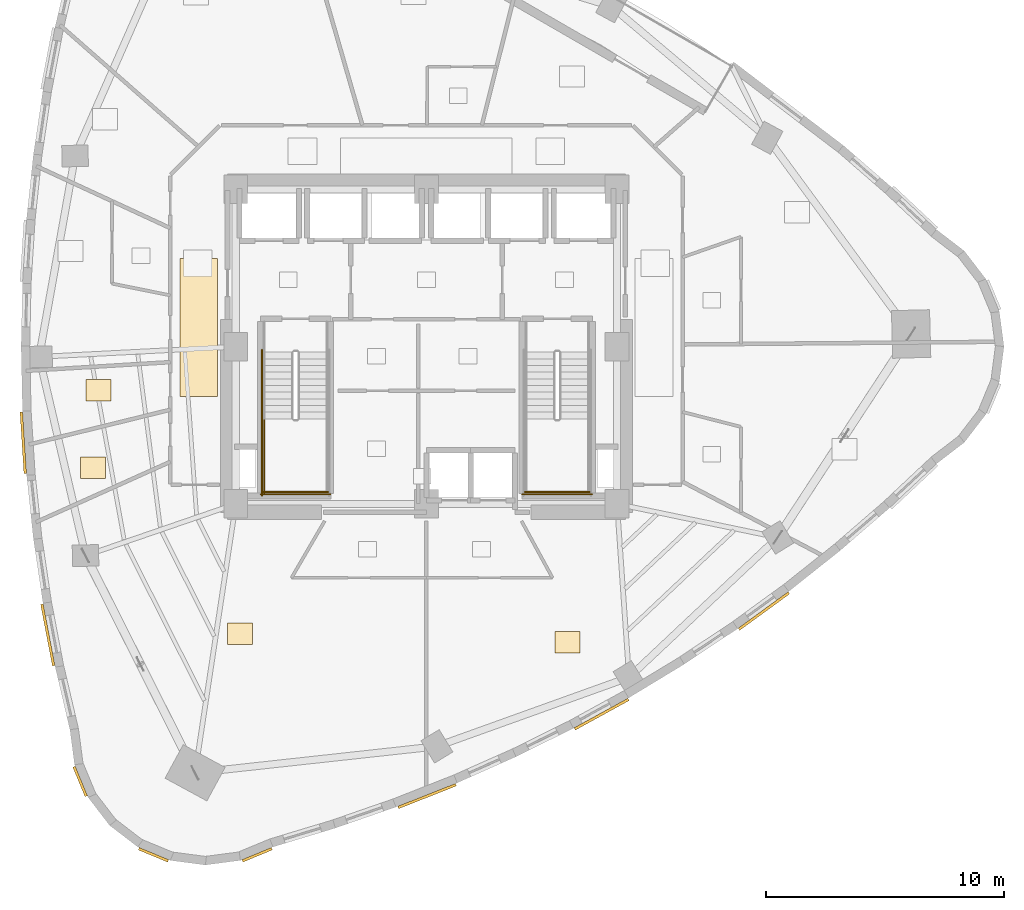
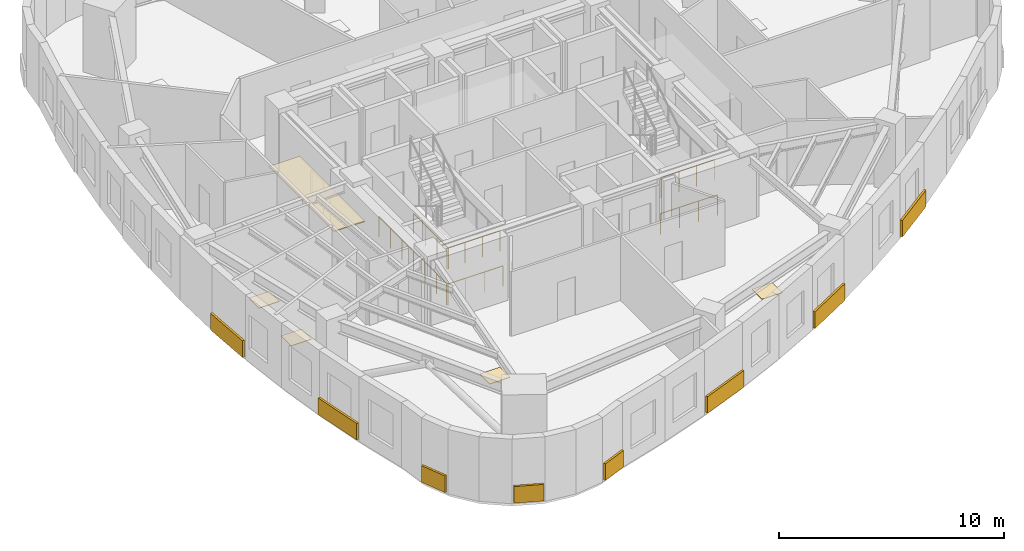
# One storey, part 12 of 14: 13 coverings, 6 railings.
"""IFC4 building model written with IfcOpenShell, lengths in metres."""

from ifc_helpers import new_model, si_unit, direction, frame, origin, origin_2d, place, context, subcontext, project, spatial, rectangle, circle, extrude, material, layer, layer_set, type_object, element, save


model = new_model("IFC4")

# Units and contexts
model_context = context("Model", 3, precision=1e-05, world=origin(), true_north=direction((0.0, 1.0)))
body_context = subcontext(model_context, "Body", "Model", "MODEL_VIEW")
ifc_project = project(units=[si_unit("LENGTHUNIT", "METRE"), si_unit("AREAUNIT", "SQUARE_METRE"), si_unit("VOLUMEUNIT", "CUBIC_METRE"), si_unit("PLANEANGLEUNIT", "RADIAN"), si_unit("MASSUNIT", "GRAM", prefix="KILO")], contexts=[model_context])

# Site, building, storey
site_placement = place(None, origin())
site = spatial("IfcSite", under=ifc_project, at=site_placement, CompositionType="ELEMENT")
building_placement = place(site_placement, origin())
building = spatial("IfcBuilding", under=site, at=building_placement, Name="Ndelora Gate Hotel", CompositionType="ELEMENT")
storey_placement = place(building_placement, frame((0.0, 0.0, 119.75)))
storey = spatial("IfcBuildingStorey", under=building, at=storey_placement, Name="L29", CompositionType="ELEMENT", Elevation=119.75)

# Coverings
ifc_material_1 = material(Name="Perforated Acoustic Gypsum Board", Category="gypsum")
ifc_layer_1 = layer(ifc_material_1, 0.054931640625)
ifc_layer_set_1 = layer_set([ifc_layer_1], Name="Perforated Acoustic Gypsum Board")
covering_type_1 = type_object("IfcCoveringType", Name="COV-CEIL-AC60", PredefinedType="CEILING", material=ifc_layer_set_1)
covering_1_placement = place(storey_placement, frame((-9.550048828125, 0.800048828125, 2.65234375), z_axis=(0.0, 0.0, 1.0), x_axis=(1.0, 0.0, 0.0)))
element("IfcCovering", 1, at=covering_1_placement, inside=storey, type_object=covering_type_1, Name="L29 Guest Corridor Acoustic Ceiling W", PredefinedType="CEILING", context=body_context, shape_type="SweptSolid", body=[
    extrude(rectangle(XDim=1.580078125, YDim=5.800048828125, at=origin_2d()), origin(), (0.0, 0.0, 1.0), 0.054931640625),
])
ifc_material_2 = material(Name="Terracotta Fired Clay Brick Slip Cladding", Category="masonry")
ifc_layer_2 = layer(ifc_material_2, 0.110107421875)
ifc_layer_set_2 = layer_set([ifc_layer_2], Name="Terracotta Fired Clay Brick Slip Cladding")
covering_type_2 = type_object("IfcCoveringType", Name="COV-CLAD-BRK", PredefinedType="CLADDING", material=ifc_layer_set_2)
covering_2_placement = place(storey_placement, frame((-16.9208984375, -4.033203125, 0.10009765625), z_axis=(0.0, 0.0, 1.0), x_axis=(-0.063661438132, 0.99797155335, 0.0)))
element("IfcCovering", 2, at=covering_2_placement, inside=storey, type_object=covering_type_2, Name="L29 Rounded-Corner Brick Cladding Band 16", PredefinedType="CLADDING", context=body_context, shape_type="SweptSolid", body=[
    extrude(rectangle(XDim=2.583984375, YDim=0.110107421875, at=origin_2d()), origin(), (0.0, 0.0, 1.0), 0.89990234375),
])
covering_3_placement = place(storey_placement, frame((-15.89208984375, -12.09912109375, 0.10009765625), z_axis=(0.0, 0.0, 1.0), x_axis=(-0.187895613278, 0.982189003456, 0.0)))
element("IfcCovering", 3, at=covering_3_placement, inside=storey, type_object=covering_type_2, Name="L29 Rounded-Corner Brick Cladding Band 19", PredefinedType="CLADDING", context=body_context, shape_type="SweptSolid", body=[
    extrude(rectangle(XDim=2.6279296875, YDim=0.110107421875, at=origin_2d()), origin(), (0.0, 0.0, 1.0), 0.89990234375),
])
for number, where, z_axis, x_axis, name in (
    (4, (-14.53369140625, -18.249755859375, 0.10009765625), (0.0, 0.0, 1.0), (-0.382683432365, 0.923879532511, 0.0), "L29 Rounded-Corner Brick Cladding Band 22"),
    (5, (-11.456298828125, -21.327392578125, 0.10009765625), (0.0, 0.0, 1.0), (-0.923879532511, 0.382683432365, 0.0), "L29 Rounded-Corner Brick Cladding Band 25"),
    (6, (-7.104248046875, -21.327392578125, 0.10009765625), (0.0, 0.0, 1.0), (0.923879532511, 0.382683432365, 0.0), "L29 Rounded-Corner Brick Cladding Band 28"),
):
    element("IfcCovering", number, at=place(storey_placement, frame(where, z_axis=z_axis, x_axis=x_axis)), inside=storey, type_object=covering_type_2, Name=name, PredefinedType="CLADDING", context=body_context, shape_type="SweptSolid", body=[
        extrude(rectangle(XDim=1.3359375, YDim=0.110107421875, at=origin_2d()), origin(), (0.0, 0.0, 1.0), 0.89990234375),
    ])
covering_4_placement = place(storey_placement, frame((0.02490234375, -18.8642578125, 0.10009765625), z_axis=(0.0, 0.0, 1.0), x_axis=(0.930161475141, 0.367150691357, 0.0)))
element("IfcCovering", 7, at=covering_4_placement, inside=storey, type_object=covering_type_2, Name="L29 Rounded-Corner Brick Cladding Band 31", PredefinedType="CLADDING", context=body_context, shape_type="SweptSolid", body=[
    extrude(rectangle(XDim=2.60791015625, YDim=0.110107421875, at=origin_2d()), origin(), (0.0, 0.0, 1.0), 0.89990234375),
])
covering_5_placement = place(storey_placement, frame((7.353271484375, -15.425048828125, 0.10009765625), z_axis=(0.0, 0.0, 1.0), x_axis=(0.876474790409, 0.481447756021, 0.0)))
element("IfcCovering", 8, at=covering_5_placement, inside=storey, type_object=covering_type_2, Name="L29 Rounded-Corner Brick Cladding Band 34", PredefinedType="CLADDING", context=body_context, shape_type="SweptSolid", body=[
    extrude(rectangle(XDim=2.580078125, YDim=0.110107421875, at=origin_2d()), origin(), (0.0, 0.0, 1.0), 0.89990234375),
])
covering_6_placement = place(storey_placement, frame((14.16748046875, -11.0947265625, 0.10009765625), z_axis=(0.0, 0.0, 1.0), x_axis=(0.808298275618, 0.588773214093, 0.0)))
element("IfcCovering", 9, at=covering_6_placement, inside=storey, type_object=covering_type_2, Name="L29 Rounded-Corner Brick Cladding Band 37", PredefinedType="CLADDING", context=body_context, shape_type="SweptSolid", body=[
    extrude(rectangle(XDim=2.593994140625, YDim=0.110107421875, at=origin_2d()), origin(), (0.0, 0.0, 1.0), 0.89990234375),
])
ifc_material_3 = material(Name="Engineered Highland Oak Parquet", Category="wood")
ifc_layer_3 = layer(ifc_material_3, 0.030029296875)
ifc_layer_set_3 = layer_set([ifc_layer_3], Name="Engineered Highland Oak Parquet")
covering_type_3 = type_object("IfcCoveringType", Name="COV-FLR-PARQ", PredefinedType="FLOORING", material=ifc_layer_set_3)
for number, where, z_axis, x_axis, name in (
    (10, (-7.831787109375, -12.0478515625, 0.0), (0.0, 0.0, 1.0), (1.0, 0.0, 0.0), "L29 Corner Diplomatic Suite 3201 Oak Parquet Flooring"),
    (11, (5.9208984375, -12.40966796875, 0.0), (0.0, 0.0, 1.0), (1.0, 0.0, 0.0), "L29 Club King Corner Suite 3202 Oak Parquet Flooring"),
    (12, (-13.7705078125, -1.8330078125, 0.0), (0.0, 0.0, 1.0), (1.0, 0.0, 0.0), "L29 Housekeeping and Linen Room Oak Parquet Flooring"),
    (13, (-13.990478515625, -5.079833984375, 0.0), (0.0, 0.0, 1.0), (1.0, 0.0, 0.0), "L29 Accessible WC Oak Parquet Flooring"),
):
    element("IfcCovering", number, at=place(storey_placement, frame(where, z_axis=z_axis, x_axis=x_axis)), inside=storey, type_object=covering_type_3, Name=name, PredefinedType="FLOORING", context=body_context, shape_type="SweptSolid", body=[
        extrude(rectangle(XDim=1.050048828125, YDim=0.89990234375, at=origin_2d()), origin(), (0.0, 0.0, 1.0), 0.030029296875),
    ])

# Railings
ifc_material_4 = material(Name="Painted Galvanized Steel Balustrade", Category="steel")
ifc_layer_4 = layer(ifc_material_4, 0.06005859375)
ifc_layer_set_4 = layer_set([ifc_layer_4], Name="Painted Galvanized Steel Balustrade")
railing_type = type_object("IfcRailingType", Name="RL-STAIR-GD", PredefinedType="GUARDRAIL", material=ifc_layer_set_4)
railing_1_placement = place(storey_placement, frame((-6.800048828125, -3.030029296875, 1.875)))
element("IfcRailing", 14, at=railing_1_placement, inside=storey, type_object=railing_type, Name="L29 ST4 stair guard 3", PredefinedType="GUARDRAIL", context=body_context, shape_type="SweptSolid", body=[
    extrude(circle(Radius=0.02392578125, at=origin_2d()), frame((0.0, 0.0, 1.10595703125), z_axis=(0.0, -1.0, 0.0), x_axis=(1.0, 0.0, 0.0)), (0.0, 0.0, 1.0), 3.119873046875),
    extrude(circle(Radius=0.02099609375, at=origin_2d()), origin(), (0.0, 0.0, 1.0), 1.081787109375),
    extrude(circle(Radius=0.02099609375, at=origin_2d()), frame((0.0, -1.0400390625, 0.0)), (0.0, 0.0, 1.0), 1.081787109375),
    extrude(circle(Radius=0.02099609375, at=origin_2d()), frame((0.0, -2.079833984375, 0.0)), (0.0, 0.0, 1.0), 1.081787109375),
    extrude(circle(Radius=0.02099609375, at=origin_2d()), frame((0.0, -3.119873046875, 0.0)), (0.0, 0.0, 1.0), 1.081787109375),
])
railing_2_placement = place(storey_placement, frame((-6.85009765625, -6.10009765625, 1.875)))
element("IfcRailing", 15, at=railing_2_placement, inside=storey, type_object=railing_type, Name="L29 ST4 stair guard 5", PredefinedType="GUARDRAIL", context=body_context, shape_type="SweptSolid", body=[
    extrude(circle(Radius=0.02392578125, at=origin_2d()), frame((0.0, 0.0, 1.10595703125), z_axis=(1.0, 0.0, 0.0), x_axis=(0.0, 1.0, 0.0)), (0.0, 0.0, 1.0), 2.72021484375),
    extrude(circle(Radius=0.02099609375, at=origin_2d()), origin(), (0.0, 0.0, 1.0), 1.081787109375),
    extrude(circle(Radius=0.02099609375, at=origin_2d()), frame((0.90673828125, 0.0, 0.0)), (0.0, 0.0, 1.0), 1.081787109375),
    extrude(circle(Radius=0.02099609375, at=origin_2d()), frame((1.8134765625, 0.0, 0.0)), (0.0, 0.0, 1.0), 1.081787109375),
    extrude(circle(Radius=0.02099609375, at=origin_2d()), frame((2.72021484375, 0.0, 0.0)), (0.0, 0.0, 1.0), 1.081787109375),
])
railing_3_placement = place(storey_placement, frame((-6.89990234375, -0.1298828125, 0.0)))
element("IfcRailing", 16, at=railing_3_placement, inside=storey, type_object=railing_type, Name="L29 ST4 stair guard 10", PredefinedType="GUARDRAIL", context=body_context, shape_type="SweptSolid", body=[
    extrude(circle(Radius=0.02392578125, at=origin_2d()), frame((0.0, 0.0, 1.10595703125), z_axis=(0.0, -1.0, 0.0), x_axis=(1.0, 0.0, 0.0)), (0.0, 0.0, 1.0), 6.1201171875),
    extrude(circle(Radius=0.02099609375, at=origin_2d()), origin(), (0.0, 0.0, 1.0), 1.081787109375),
    extrude(circle(Radius=0.02099609375, at=origin_2d()), frame((0.0, -1.02001953125, 0.0)), (0.0, 0.0, 1.0), 1.081787109375),
    extrude(circle(Radius=0.02099609375, at=origin_2d()), frame((0.0, -2.0400390625, 0.0)), (0.0, 0.0, 1.0), 1.081787109375),
    extrude(circle(Radius=0.02099609375, at=origin_2d()), frame((0.0, -3.06005859375, 0.0)), (0.0, 0.0, 1.0), 1.081787109375),
    extrude(circle(Radius=0.02099609375, at=origin_2d()), frame((0.0, -4.080078125, 0.0)), (0.0, 0.0, 1.0), 1.081787109375),
    extrude(circle(Radius=0.02099609375, at=origin_2d()), frame((0.0, -5.10009765625, 0.0)), (0.0, 0.0, 1.0), 1.081787109375),
    extrude(circle(Radius=0.02099609375, at=origin_2d()), frame((0.0, -6.1201171875, 0.0)), (0.0, 0.0, 1.0), 1.081787109375),
])
railing_4_placement = place(storey_placement, frame((-6.949951171875, -6.199951171875, 0.0)))
element("IfcRailing", 17, at=railing_4_placement, inside=storey, type_object=railing_type, Name="L29 ST4 stair guard 12", PredefinedType="GUARDRAIL", context=body_context, shape_type="SweptSolid", body=[
    extrude(circle(Radius=0.02392578125, at=origin_2d()), frame((0.0, 0.0, 1.10595703125), z_axis=(1.0, 0.0, 0.0), x_axis=(0.0, 1.0, 0.0)), (0.0, 0.0, 1.0), 2.919921875),
    extrude(circle(Radius=0.02099609375, at=origin_2d()), origin(), (0.0, 0.0, 1.0), 1.081787109375),
    extrude(circle(Radius=0.02099609375, at=origin_2d()), frame((0.973388671875, 0.0, 0.0)), (0.0, 0.0, 1.0), 1.081787109375),
    extrude(circle(Radius=0.02099609375, at=origin_2d()), frame((1.946533203125, 0.0, 0.0)), (0.0, 0.0, 1.0), 1.081787109375),
    extrude(circle(Radius=0.02099609375, at=origin_2d()), frame((2.919921875, 0.0, 0.0)), (0.0, 0.0, 1.0), 1.081787109375),
])
railing_5_placement = place(storey_placement, frame((4.1298828125, -6.10009765625, 1.875)))
element("IfcRailing", 18, at=railing_5_placement, inside=storey, type_object=railing_type, Name="L29 ST5 stair guard 5", PredefinedType="GUARDRAIL", context=body_context, shape_type="SweptSolid", body=[
    extrude(circle(Radius=0.02392578125, at=origin_2d()), frame((0.0, 0.0, 1.10595703125), z_axis=(1.0, 0.0, 0.0), x_axis=(0.0, 1.0, 0.0)), (0.0, 0.0, 1.0), 2.72021484375),
    extrude(circle(Radius=0.02099609375, at=origin_2d()), origin(), (0.0, 0.0, 1.0), 1.081787109375),
    extrude(circle(Radius=0.02099609375, at=origin_2d()), frame((0.90673828125, 0.0, 0.0)), (0.0, 0.0, 1.0), 1.081787109375),
    extrude(circle(Radius=0.02099609375, at=origin_2d()), frame((1.8134765625, 0.0, 0.0)), (0.0, 0.0, 1.0), 1.081787109375),
    extrude(circle(Radius=0.02099609375, at=origin_2d()), frame((2.72021484375, 0.0, 0.0)), (0.0, 0.0, 1.0), 1.081787109375),
])
railing_6_placement = place(storey_placement, frame((4.030029296875, -6.199951171875, 0.0)))
element("IfcRailing", 19, at=railing_6_placement, inside=storey, type_object=railing_type, Name="L29 ST5 stair guard 12", PredefinedType="GUARDRAIL", context=body_context, shape_type="SweptSolid", body=[
    extrude(circle(Radius=0.02392578125, at=origin_2d()), frame((0.0, 0.0, 1.10595703125), z_axis=(1.0, 0.0, 0.0), x_axis=(0.0, 1.0, 0.0)), (0.0, 0.0, 1.0), 2.919921875),
    extrude(circle(Radius=0.02099609375, at=origin_2d()), origin(), (0.0, 0.0, 1.0), 1.081787109375),
    extrude(circle(Radius=0.02099609375, at=origin_2d()), frame((0.973388671875, 0.0, 0.0)), (0.0, 0.0, 1.0), 1.081787109375),
    extrude(circle(Radius=0.02099609375, at=origin_2d()), frame((1.946533203125, 0.0, 0.0)), (0.0, 0.0, 1.0), 1.081787109375),
    extrude(circle(Radius=0.02099609375, at=origin_2d()), frame((2.919921875, 0.0, 0.0)), (0.0, 0.0, 1.0), 1.081787109375),
])

save(model, "model.ifc")
